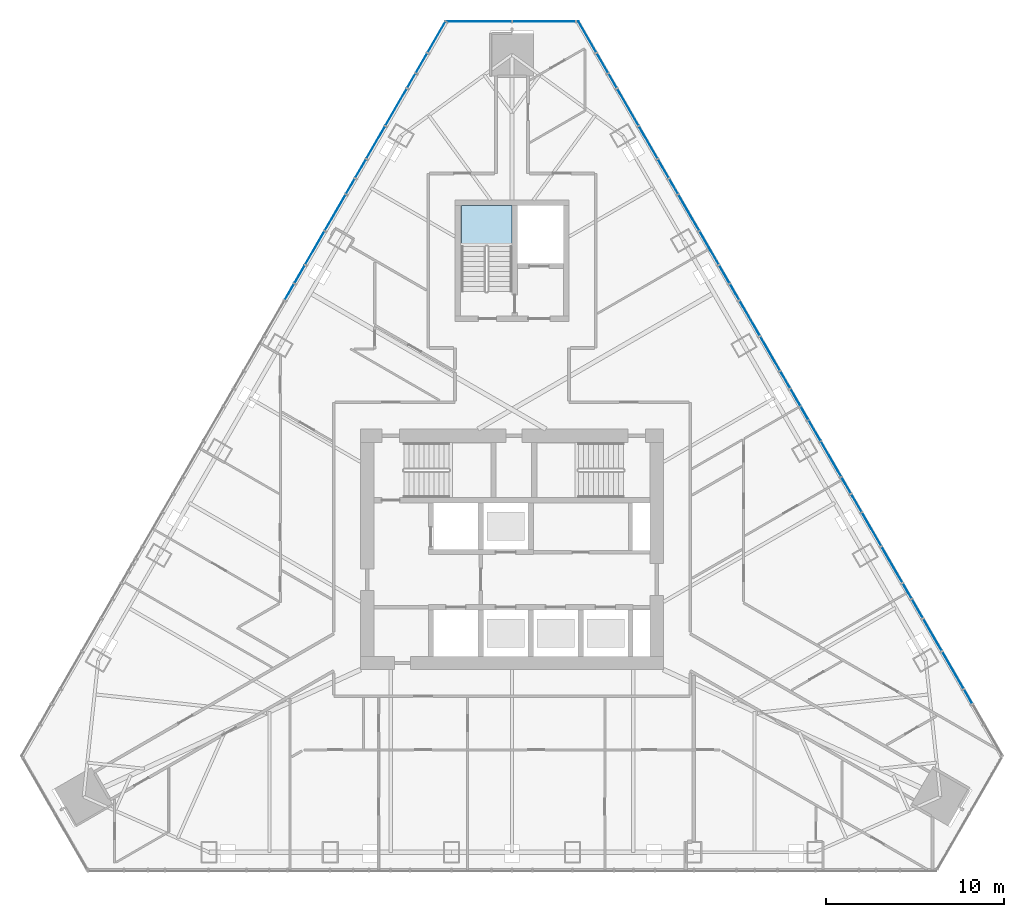
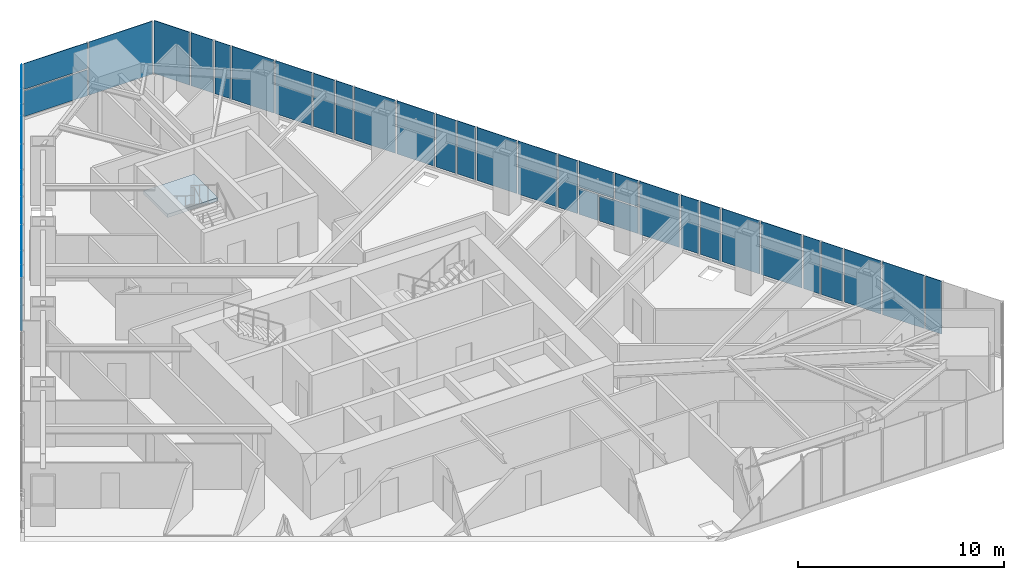
# One storey, part 12 of 19: 42 plates, 1 slab, 4 elements without a shape of their own.
"""IFC4 building model written with IfcOpenShell, lengths in metres."""

from ifc_helpers import new_model, si_unit, direction, frame, origin, place, context, subcontext, project, spatial, polyline, outline, extrude, material, layer, layer_set, type_object, element, aggregate, save


model = new_model("IFC4")

# Units and contexts
model_context = context("Model", 3, precision=1e-05, world=origin(), true_north=direction((0.0, 1.0)))
body_context = subcontext(model_context, "Body", "Model", "MODEL_VIEW")
ifc_project = project(units=[si_unit("LENGTHUNIT", "METRE"), si_unit("AREAUNIT", "SQUARE_METRE"), si_unit("VOLUMEUNIT", "CUBIC_METRE"), si_unit("PLANEANGLEUNIT", "RADIAN"), si_unit("MASSUNIT", "GRAM", prefix="KILO")], contexts=[model_context])

# Site, building, storey
site_placement = place(None, origin())
site = spatial("IfcSite", under=ifc_project, at=site_placement, CompositionType="ELEMENT")
building_placement = place(site_placement, origin())
building = spatial("IfcBuilding", under=site, at=building_placement, Name="Firuza Gate Tower and Library", CompositionType="ELEMENT")
storey_placement = place(building_placement, frame((0.0, 0.0, 256.60009765625)))
storey = spatial("IfcBuildingStorey", under=building, at=storey_placement, Name="L60", CompositionType="ELEMENT", Elevation=256.60009765625)

# Curtain wall, plate
ifc_material_1 = material(Name="Aluminium 6063-T6", Category="aluminium")
ifc_layer_1 = layer(ifc_material_1, 0.14990234375)
ifc_layer_set_1 = layer_set([ifc_layer_1], Name="Corner curtain wall, chamfers")
curtain_wall_type_1 = type_object("IfcCurtainWallType", Name="Corner curtain wall, chamfers", PredefinedType="NOTDEFINED", material=ifc_layer_set_1)
placement = place(storey_placement, origin())
curtain_wall_1 = element("IfcCurtainWall", 1, at=placement, inside=storey, type_object=curtain_wall_type_1, Name="CW4 L60 N corner", PredefinedType="NOTDEFINED")
ifc_material_2 = material(Name="Fritted glass", Category="glass")
ifc_layer_2 = layer(ifc_material_2, 0.030029296875)
ifc_layer_set_2 = layer_set([ifc_layer_2], Name="Fritted glass unit, corners")
plate_type_1 = type_object("IfcPlateType", Name="Fritted glass unit, corners", PredefinedType="CURTAIN_PANEL", material=ifc_layer_set_2)
plate_1_placement = place(storey_placement, frame((74.9599609375, 104.650390625, 0.14990234375), z_axis=(0.0, 1.0, 0.0), x_axis=(-1.0, 0.0, 0.0)))
plate_1 = element("IfcPlate", 2, at=plate_1_placement, type_object=plate_type_1, Name="Glass unit", PredefinedType="CURTAIN_PANEL", context=body_context, shape_type="SweptSolid", body=[
    extrude(outline(polyline([(0.0, 0.0), (3.563232421875, 0.0), (3.563232421875, 1.534912109375), (0.0, 1.534912109375), (0.0, 0.0)])), origin(), (0.0, 0.0, -1.0), 0.030029296875),
])

# Curtain wall, plates
ifc_material_3 = material(Name="Aluminium 6063-T6", Category="aluminium")
ifc_layer_3 = layer(ifc_material_3, 0.14990234375)
ifc_layer_set_3 = layer_set([ifc_layer_3], Name="Unitised curtain wall, residences")
curtain_wall_type_2 = type_object("IfcCurtainWallType", Name="Unitised curtain wall, residences", PredefinedType="NOTDEFINED", material=ifc_layer_set_3)
curtain_wall_2 = element("IfcCurtainWall", 3, at=placement, inside=storey, type_object=curtain_wall_type_2, Name="CW3 L60 E face", PredefinedType="NOTDEFINED")
ifc_material_4 = material(Name="Fritted glass", Category="glass")
ifc_layer_4 = layer(ifc_material_4, 0.030029296875)
ifc_layer_set_4 = layer_set([ifc_layer_4], Name="Fritted glass unit, residences")
plate_type_2 = type_object("IfcPlateType", Name="Fritted glass unit, residences", PredefinedType="CURTAIN_PANEL", material=ifc_layer_set_4)
plate_2_placement = place(storey_placement, frame((100.837158203125, 66.364501953125, 0.14990234375), z_axis=(0.86601248742, 0.500022371132, 0.0), x_axis=(-0.500022371132, 0.86601248742, 0.0)))
plate_2 = element("IfcPlate", 4, at=plate_2_placement, type_object=plate_type_2, Name="Glass unit", PredefinedType="CURTAIN_PANEL", context=body_context, shape_type="SweptSolid", body=[
    extrude(outline(polyline([(0.0, 0.0), (0.8925381908206307, 0.0), (0.8925381908206307, 3.14990234375), (0.0, 3.14990234375), (0.0, 0.0)])), origin(), (0.0, 0.0, -1.0), 0.030029296875),
])
plate_3_placement = place(storey_placement, frame((98.06494140625, 71.166259765625, 0.14990234375), z_axis=(0.865969920531, 0.500096087503, 0.0), x_axis=(-0.500096087503, 0.865969920531, 0.0)))
plate_3 = element("IfcPlate", 5, at=plate_3_placement, type_object=plate_type_2, Name="Glass unit", PredefinedType="CURTAIN_PANEL", context=body_context, shape_type="SweptSolid", body=[
    extrude(outline(polyline([(0.0, 0.0), (1.187760023459774, 0.0), (1.187760023459774, 3.14990234375), (0.0, 3.14990234375), (0.0, 0.0)])), origin(), (0.0, 0.0, -1.0), 0.030029296875),
])
plate_4_placement = place(storey_placement, frame((97.430908203125, 72.26416015625, 0.14990234375), z_axis=(0.866040344649, 0.49997412077, 0.0), x_axis=(-0.49997412077, 0.866040344649, 0.0)))
plate_4 = element("IfcPlate", 6, at=plate_4_placement, type_object=plate_type_2, Name="Glass unit", PredefinedType="CURTAIN_PANEL", context=body_context, shape_type="SweptSolid", body=[
    extrude(outline(polyline([(0.0, 0.0), (0.9517094152628764, 0.0), (0.9517094152628764, 3.14990234375), (0.0, 3.14990234375), (0.0, 0.0)])), origin(), (0.0, 0.0, -1.0), 0.030029296875),
])
plate_5_placement = place(storey_placement, frame((94.629150390625, 77.116943359375, 0.14990234375), z_axis=(0.865998287773, 0.500046963369, 0.0), x_axis=(-0.500046963369, 0.865998287773, 0.0)))
plate_5 = element("IfcPlate", 7, at=plate_5_placement, type_object=plate_type_2, Name="Glass unit", PredefinedType="CURTAIN_PANEL", context=body_context, shape_type="SweptSolid", body=[
    extrude(outline(polyline([(0.0, 0.0), (1.1288002254764324, 0.0), (1.1288002254764324, 3.14990234375), (0.0, 3.14990234375), (0.0, 0.0)])), origin(), (0.0, 0.0, -1.0), 0.030029296875),
])
plate_6_placement = place(storey_placement, frame((94.024658203125, 78.163818359375, 0.14990234375), z_axis=(0.866064938435, 0.499931517724, 0.0), x_axis=(-0.499931517724, 0.866064938435, 0.0)))
plate_6 = element("IfcPlate", 8, at=plate_6_placement, type_object=plate_type_2, Name="Glass unit", PredefinedType="CURTAIN_PANEL", context=body_context, shape_type="SweptSolid", body=[
    extrude(outline(polyline([(0.0, 0.0), (1.0108806423134982, 0.0), (1.0108806423134982, 3.14990234375), (0.0, 3.14990234375), (0.0, 0.0)])), origin(), (0.0, 0.0, -1.0), 0.030029296875),
])
plate_7_placement = place(storey_placement, frame((91.193359375, 83.06787109375, 0.14990234375), z_axis=(0.866029778435, 0.499992422807, 0.0), x_axis=(-0.499992422807, 0.866029778435, 0.0)))
plate_7 = element("IfcPlate", 9, at=plate_7_placement, type_object=plate_type_2, Name="Glass unit", PredefinedType="CURTAIN_PANEL", context=body_context, shape_type="SweptSolid", body=[
    extrude(outline(polyline([(0.0, 0.0), (1.0698404315257988, 0.0), (1.0698404315257988, 1.534912109375), (0.0, 1.534912109375), (0.0, 0.0)])), origin(), (0.0, 0.0, -1.0), 0.030029296875),
])
plate_8_placement = place(storey_placement, frame((91.637451171875, 82.299072265625, 1.764892578125), z_axis=(0.865977893981, 0.500082280366, 0.0), x_axis=(-0.500082280366, 0.865977893981, 0.0)))
plate_8 = element("IfcPlate", 10, at=plate_8_placement, type_object=plate_type_2, Name="Glass unit", PredefinedType="CURTAIN_PANEL", context=body_context, shape_type="SweptSolid", body=[
    extrude(outline(polyline([(0.0, 0.0), (1.9576856543145555, 0.0), (1.9576856543145555, 1.5349121093750004), (0.0, 1.5349121093750004), (0.0, 0.0)])), origin(), (0.0, 0.0, -1.0), 0.030029296875),
])
plate_9_placement = place(storey_placement, frame((90.61865234375, 84.0634765625, 0.14990234375), z_axis=(0.866029778435, 0.499992422807, 0.0), x_axis=(-0.499992422807, 0.866029778435, 0.0)))
plate_9 = element("IfcPlate", 11, at=plate_9_placement, type_object=plate_type_2, Name="Glass unit", PredefinedType="CURTAIN_PANEL", context=body_context, shape_type="SweptSolid", body=[
    extrude(outline(polyline([(0.0, 0.0), (1.0698404315257988, 0.0), (1.0698404315257988, 3.1499023437499996), (0.0, 3.1499023437499996), (0.0, 0.0)])), origin(), (0.0, 0.0, -1.0), 0.030029296875),
])
plate_10_placement = place(storey_placement, frame((87.7578125, 89.0185546875, 0.14990234375), z_axis=(0.866064938435, 0.499931517724, 0.0), x_axis=(-0.499931517724, 0.866064938435, 0.0)))
plate_10 = element("IfcPlate", 12, at=plate_10_placement, type_object=plate_type_2, Name="Glass unit", PredefinedType="CURTAIN_PANEL", context=body_context, shape_type="SweptSolid", body=[
    extrude(outline(polyline([(0.0, 0.0), (1.0108806423134982, 0.0), (1.0108806423134982, 3.14990234375), (0.0, 3.14990234375), (0.0, 0.0)])), origin(), (0.0, 0.0, -1.0), 0.030029296875),
])
plate_11_placement = place(storey_placement, frame((87.21240234375, 89.96337890625, 0.14990234375), z_axis=(0.865998287773, 0.500046963369, 0.0), x_axis=(-0.500046963369, 0.865998287773, 0.0)))
plate_11 = element("IfcPlate", 13, at=plate_11_placement, type_object=plate_type_2, Name="Glass unit", PredefinedType="CURTAIN_PANEL", context=body_context, shape_type="SweptSolid", body=[
    extrude(outline(polyline([(0.0, 0.0), (1.1288002254764324, 0.0), (1.1288002254764324, 3.14990234375), (0.0, 3.14990234375), (0.0, 0.0)])), origin(), (0.0, 0.0, -1.0), 0.030029296875),
])
plate_12_placement = place(storey_placement, frame((84.322021484375, 94.969482421875, 0.14990234375), z_axis=(0.866040344649, 0.49997412077, 0.0), x_axis=(-0.49997412077, 0.866040344649, 0.0)))
plate_12 = element("IfcPlate", 14, at=plate_12_placement, type_object=plate_type_2, Name="Glass unit", PredefinedType="CURTAIN_PANEL", context=body_context, shape_type="SweptSolid", body=[
    extrude(outline(polyline([(0.0, 0.0), (0.9517094152628764, 0.0), (0.9517094152628764, 3.14990234375), (0.0, 3.14990234375), (0.0, 0.0)])), origin(), (0.0, 0.0, -1.0), 0.030029296875),
])
plate_13_placement = place(storey_placement, frame((83.80615234375, 95.863037109375, 0.14990234375), z_axis=(0.865969920531, 0.500096087503, 0.0), x_axis=(-0.500096087503, 0.865969920531, 0.0)))
plate_13 = element("IfcPlate", 15, at=plate_13_placement, type_object=plate_type_2, Name="Glass unit", PredefinedType="CURTAIN_PANEL", context=body_context, shape_type="SweptSolid", body=[
    extrude(outline(polyline([(0.0, 0.0), (1.187760023459774, 0.0), (1.187760023459774, 3.14990234375), (0.0, 3.14990234375), (0.0, 0.0)])), origin(), (0.0, 0.0, -1.0), 0.030029296875),
])
plate_14_placement = place(storey_placement, frame((80.88623046875, 100.92041015625, 0.14990234375), z_axis=(0.86601248742, 0.500022371132, 0.0), x_axis=(-0.500022371132, 0.86601248742, 0.0)))
plate_14 = element("IfcPlate", 16, at=plate_14_placement, type_object=plate_type_2, Name="Glass unit", PredefinedType="CURTAIN_PANEL", context=body_context, shape_type="SweptSolid", body=[
    extrude(outline(polyline([(0.0, 0.0), (0.8925381908206307, 0.0), (0.8925381908206307, 3.14990234375), (0.0, 3.14990234375), (0.0, 0.0)])), origin(), (0.0, 0.0, -1.0), 0.030029296875),
])
plate_15_placement = place(storey_placement, frame((80.39990234375, 101.7626953125, 0.14990234375), z_axis=(0.86607798872, 0.499908909157, 0.0), x_axis=(-0.499908909157, 0.86607798872, 0.0)))
plate_15 = element("IfcPlate", 17, at=plate_15_placement, type_object=plate_type_2, Name="Glass unit", PredefinedType="CURTAIN_PANEL", context=body_context, shape_type="SweptSolid", body=[
    extrude(outline(polyline([(0.0, 0.0), (1.246809177047567, 0.0), (1.246809177047567, 3.14990234375), (0.0, 3.14990234375), (0.0, 0.0)])), origin(), (0.0, 0.0, -1.0), 0.030029296875),
])

curtain_wall_3 = element("IfcCurtainWall", 18, at=placement, inside=storey, type_object=curtain_wall_type_2, Name="CW3 L60 W face", PredefinedType="NOTDEFINED")
plate_16_placement = place(storey_placement, frame((70.223388671875, 102.842529296875, 0.14990234375), z_axis=(-0.86607798872, 0.499908909157, 0.0), x_axis=(-0.499908909157, -0.86607798872, 0.0)))
plate_16 = element("IfcPlate", 19, at=plate_16_placement, type_object=plate_type_2, Name="Glass unit", PredefinedType="CURTAIN_PANEL", context=body_context, shape_type="SweptSolid", body=[
    extrude(outline(polyline([(0.0, 0.0), (1.246809177047567, 0.0), (1.246809177047567, 3.14990234375), (0.0, 3.14990234375), (0.0, 0.0)])), origin(), (0.0, 0.0, -1.0), 0.030029296875),
])
plate_17_placement = place(storey_placement, frame((69.56005859375, 101.693359375, 0.14990234375), z_axis=(-0.86601248742, 0.500022371132, 0.0), x_axis=(-0.500022371132, -0.86601248742, 0.0)))
plate_17 = element("IfcPlate", 20, at=plate_17_placement, type_object=plate_type_2, Name="Glass unit", PredefinedType="CURTAIN_PANEL", context=body_context, shape_type="SweptSolid", body=[
    extrude(outline(polyline([(0.0, 0.0), (0.8925381908206307, 0.0), (0.8925381908206307, 3.14990234375), (0.0, 3.14990234375), (0.0, 0.0)])), origin(), (0.0, 0.0, -1.0), 0.030029296875),
])
plate_18_placement = place(storey_placement, frame((66.787841796875, 96.8916015625, 0.14990234375), z_axis=(-0.865969920531, 0.500096087503, 0.0), x_axis=(-0.500096087503, -0.865969920531, 0.0)))
plate_18 = element("IfcPlate", 21, at=plate_18_placement, type_object=plate_type_2, Name="Glass unit", PredefinedType="CURTAIN_PANEL", context=body_context, shape_type="SweptSolid", body=[
    extrude(outline(polyline([(0.0, 0.0), (1.187760023459774, 0.0), (1.187760023459774, 3.14990234375), (0.0, 3.14990234375), (0.0, 0.0)])), origin(), (0.0, 0.0, -1.0), 0.030029296875),
])
plate_19_placement = place(storey_placement, frame((66.15380859375, 95.793701171875, 0.14990234375), z_axis=(-0.866040344649, 0.49997412077, 0.0), x_axis=(-0.49997412077, -0.866040344649, 0.0)))
plate_19 = element("IfcPlate", 22, at=plate_19_placement, type_object=plate_type_2, Name="Glass unit", PredefinedType="CURTAIN_PANEL", context=body_context, shape_type="SweptSolid", body=[
    extrude(outline(polyline([(0.0, 0.0), (0.9517094152628764, 0.0), (0.9517094152628764, 3.14990234375), (0.0, 3.14990234375), (0.0, 0.0)])), origin(), (0.0, 0.0, -1.0), 0.030029296875),
])
plate_20_placement = place(storey_placement, frame((63.35205078125, 90.94091796875, 0.14990234375), z_axis=(-0.865998287773, 0.500046963369, 0.0), x_axis=(-0.500046963369, -0.865998287773, 0.0)))
plate_20 = element("IfcPlate", 23, at=plate_20_placement, type_object=plate_type_2, Name="Glass unit", PredefinedType="CURTAIN_PANEL", context=body_context, shape_type="SweptSolid", body=[
    extrude(outline(polyline([(0.0, 0.0), (1.1288002254764324, 0.0), (1.1288002254764324, 3.14990234375), (0.0, 3.14990234375), (0.0, 0.0)])), origin(), (0.0, 0.0, -1.0), 0.030029296875),
])
plate_21_placement = place(storey_placement, frame((62.74755859375, 89.89404296875, 0.14990234375), z_axis=(-0.866064938435, 0.499931517724, 0.0), x_axis=(-0.499931517724, -0.866064938435, 0.0)))
plate_21 = element("IfcPlate", 24, at=plate_21_placement, type_object=plate_type_2, Name="Glass unit", PredefinedType="CURTAIN_PANEL", context=body_context, shape_type="SweptSolid", body=[
    extrude(outline(polyline([(0.0, 0.0), (1.0108806423134982, 0.0), (1.0108806423134982, 3.14990234375), (0.0, 3.14990234375), (0.0, 0.0)])), origin(), (0.0, 0.0, -1.0), 0.030029296875),
])

# Plate
ifc_material_5 = material(Name="Glazed ceramic tile")
ifc_layer_5 = layer(ifc_material_5, 0.030029296875)
ifc_layer_set_5 = layer_set([ifc_layer_5], Name="Opaque ceramic panel, corners")
plate_type_3 = type_object("IfcPlateType", Name="Opaque ceramic panel, corners", PredefinedType="CURTAIN_PANEL", material=ifc_layer_set_5)
plate_22_placement = place(storey_placement, frame((78.603271484375, 104.650390625, 0.14990234375), z_axis=(0.0, 1.0, 0.0), x_axis=(-1.0, 0.0, 0.0)))
plate_22 = element("IfcPlate", 25, at=plate_22_placement, type_object=plate_type_3, Name="Opaque ceramic panel", PredefinedType="CURTAIN_PANEL", context=body_context, shape_type="SweptSolid", body=[
    extrude(outline(polyline([(0.0, 0.0), (3.563232421875, 0.0), (3.563232421875, 3.14990234375), (0.0, 3.14990234375), (0.0, 0.0)])), origin(), (0.0, 0.0, -1.0), 0.030029296875),
])

plate_23_placement = place(storey_placement, frame((74.9599609375, 104.650390625, 1.764892578125), z_axis=(0.0, 1.0, 0.0), x_axis=(-1.0, 0.0, 0.0)))
plate_23 = element("IfcPlate", 26, at=plate_23_placement, type_object=plate_type_3, Name="Opaque ceramic panel", PredefinedType="CURTAIN_PANEL", context=body_context, shape_type="SweptSolid", body=[
    extrude(outline(polyline([(0.0, 0.0), (3.563232421875, 0.0), (3.563232421875, 1.534912109375), (0.0, 1.534912109375), (0.0, 0.0)])), origin(), (0.0, 0.0, -1.0), 0.030029296875),
])

aggregate(curtain_wall_1, [plate_22, plate_1, plate_23])

ifc_material_6 = material(Name="Glazed ceramic tile")
ifc_layer_6 = layer(ifc_material_6, 0.030029296875)
ifc_layer_set_6 = layer_set([ifc_layer_6], Name="Opaque ceramic panel, residences")
plate_type_4 = type_object("IfcPlateType", Name="Opaque ceramic panel, residences", PredefinedType="CURTAIN_PANEL", material=ifc_layer_set_6)
plate_24_placement = place(storey_placement, frame((100.350830078125, 67.206787109375, 0.14990234375), z_axis=(0.866038761455, 0.499976863123, 0.0), x_axis=(-0.499976863123, 0.866038761455, 0.0)))
plate_24 = element("IfcPlate", 27, at=plate_24_placement, type_object=plate_type_4, Name="Opaque ceramic panel", PredefinedType="CURTAIN_PANEL", context=body_context, shape_type="SweptSolid", body=[
    extrude(outline(polyline([(0.0, 0.0), (2.3536245360441104, 0.0), (2.3536245360441104, 3.14990234375), (0.0, 3.14990234375), (0.0, 0.0)])), origin(), (0.0, 0.0, -1.0), 0.030029296875),
])

plate_25_placement = place(storey_placement, frame((99.134033203125, 69.314453125, 0.14990234375), z_axis=(0.8660374388, 0.499979154163, 0.0), x_axis=(-0.499979154163, 0.8660374388, 0.0)))
plate_25 = element("IfcPlate", 28, at=plate_25_placement, type_object=plate_type_4, Name="Opaque ceramic panel", PredefinedType="CURTAIN_PANEL", context=body_context, shape_type="SweptSolid", body=[
    extrude(outline(polyline([(0.0, 0.0), (2.058191278191509, 0.0), (2.058191278191509, 3.14990234375), (0.0, 3.14990234375), (0.0, 0.0)])), origin(), (0.0, 0.0, -1.0), 0.030029296875),
])

plate_26_placement = place(storey_placement, frame((96.9150390625, 73.15771484375, 0.14990234375), z_axis=(0.866027884473, 0.499995703297, 0.0), x_axis=(-0.499995703297, 0.866027884473, 0.0)))
plate_26 = element("IfcPlate", 29, at=plate_26_placement, type_object=plate_type_4, Name="Opaque ceramic panel", PredefinedType="CURTAIN_PANEL", context=body_context, shape_type="SweptSolid", body=[
    extrude(outline(polyline([(0.0, 0.0), (2.294453310917289, 0.0), (2.294453310917289, 3.14990234375), (0.0, 3.14990234375), (0.0, 0.0)])), origin(), (0.0, 0.0, -1.0), 0.030029296875),
])

plate_27_placement = place(storey_placement, frame((95.727783203125, 75.214111328125, 0.14990234375), z_axis=(0.866020436474, 0.500008603535, 0.0), x_axis=(-0.500008603535, 0.866020436474, 0.0)))
plate_27 = element("IfcPlate", 30, at=plate_27_placement, type_object=plate_type_4, Name="Opaque ceramic panel", PredefinedType="CURTAIN_PANEL", context=body_context, shape_type="SweptSolid", body=[
    extrude(outline(polyline([(0.0, 0.0), (2.117151070031511, 0.0), (2.117151070031511, 3.149902343750001), (0.0, 3.149902343750001), (0.0, 0.0)])), origin(), (0.0, 0.0, -1.0), 0.030029296875),
])

plate_28_placement = place(storey_placement, frame((93.4794921875, 79.1083984375, 0.14990234375), z_axis=(0.865996445293, 0.500050154224, 0.0), x_axis=(-0.500050154224, 0.865996445293, 0.0)))
plate_28 = element("IfcPlate", 31, at=plate_28_placement, type_object=plate_type_4, Name="Opaque ceramic panel", PredefinedType="CURTAIN_PANEL", context=body_context, shape_type="SweptSolid", body=[
    extrude(outline(polyline([(0.0, 0.0), (2.235615592618948, 0.0), (2.235615592618948, 3.14990234375), (0.0, 3.14990234375), (0.0, 0.0)])), origin(), (0.0, 0.0, -1.0), 0.030029296875),
])

plate_29_placement = place(storey_placement, frame((92.32177734375, 81.11376953125, 0.14990234375), z_axis=(0.865983826272, 0.500072007451, 0.0), x_axis=(-0.500072007451, 0.865983826272, 0.0)))
plate_29 = element("IfcPlate", 32, at=plate_29_placement, type_object=plate_type_4, Name="Opaque ceramic panel", PredefinedType="CURTAIN_PANEL", context=body_context, shape_type="SweptSolid", body=[
    extrude(outline(polyline([(0.0, 0.0), (2.1764443720783646, 0.0), (2.1764443720783646, 1.534912109375), (0.0, 1.534912109375), (0.0, 0.0)])), origin(), (0.0, 0.0, -1.0), 0.030029296875),
])

plate_30_placement = place(storey_placement, frame((92.32177734375, 81.11376953125, 1.764892578125), z_axis=(0.86594894672, 0.500132404144, 0.0), x_axis=(-0.500132404144, 0.86594894672, 0.0)))
plate_30 = element("IfcPlate", 33, at=plate_30_placement, type_object=plate_type_4, Name="Opaque ceramic panel", PredefinedType="CURTAIN_PANEL", context=body_context, shape_type="SweptSolid", body=[
    extrude(outline(polyline([(0.0, 0.0), (1.2887212359366202, 0.0), (1.2887212359366202, 1.534912109375), (0.0, 1.534912109375), (0.0, 0.0)])), origin(), (0.0, 0.0, -1.0), 0.030029296875),
])

plate_31_placement = place(storey_placement, frame((90.043701171875, 85.059326171875, 0.14990234375), z_axis=(0.866032402371, 0.499987877897, 0.0), x_axis=(-0.499987877897, 0.866032402371, 0.0)))
plate_31 = element("IfcPlate", 34, at=plate_31_placement, type_object=plate_type_4, Name="Opaque ceramic panel", PredefinedType="CURTAIN_PANEL", context=body_context, shape_type="SweptSolid", body=[
    extrude(outline(polyline([(0.0, 0.0), (2.1763222944553537, 0.0), (2.1763222944553537, 3.14990234375), (0.0, 3.14990234375), (0.0, 0.0)])), origin(), (0.0, 0.0, -1.0), 0.030029296875),
])

plate_32_placement = place(storey_placement, frame((88.91552734375, 87.013427734375, 0.14990234375), z_axis=(0.86604373436, 0.499968249168, 0.0), x_axis=(-0.499968249168, 0.86604373436, 0.0)))
plate_32 = element("IfcPlate", 35, at=plate_32_placement, type_object=plate_type_4, Name="Opaque ceramic panel", PredefinedType="CURTAIN_PANEL", context=body_context, shape_type="SweptSolid", body=[
    extrude(outline(polyline([(0.0, 0.0), (2.235493520059667, 0.0), (2.235493520059667, 3.14990234375), (0.0, 3.14990234375), (0.0, 0.0)])), origin(), (0.0, 0.0, -1.0), 0.030029296875),
])

plate_33_placement = place(storey_placement, frame((86.60791015625, 91.01025390625, 0.14990234375), z_axis=(0.866020436474, 0.500008603535, 0.0), x_axis=(-0.500008603535, 0.866020436474, 0.0)))
plate_33 = element("IfcPlate", 36, at=plate_33_placement, type_object=plate_type_4, Name="Opaque ceramic panel", PredefinedType="CURTAIN_PANEL", context=body_context, shape_type="SweptSolid", body=[
    extrude(outline(polyline([(0.0, 0.0), (2.117151070031511, 0.0), (2.117151070031511, 3.149902343750001), (0.0, 3.149902343750001), (0.0, 0.0)])), origin(), (0.0, 0.0, -1.0), 0.030029296875),
])

plate_34_placement = place(storey_placement, frame((85.50927734375, 92.9130859375, 0.14990234375), z_axis=(0.866027884473, 0.499995703297, 0.0), x_axis=(-0.499995703297, 0.866027884473, 0.0)))
plate_34 = element("IfcPlate", 37, at=plate_34_placement, type_object=plate_type_4, Name="Opaque ceramic panel", PredefinedType="CURTAIN_PANEL", context=body_context, shape_type="SweptSolid", body=[
    extrude(outline(polyline([(0.0, 0.0), (2.294453310917289, 0.0), (2.294453310917289, 3.14990234375), (0.0, 3.14990234375), (0.0, 0.0)])), origin(), (0.0, 0.0, -1.0), 0.030029296875),
])

plate_35_placement = place(storey_placement, frame((83.17236328125, 96.9609375, 0.14990234375), z_axis=(0.865986075164, 0.500068112983, 0.0), x_axis=(-0.500068112983, 0.865986075164, 0.0)))
plate_35 = element("IfcPlate", 38, at=plate_35_placement, type_object=plate_type_4, Name="Opaque ceramic panel", PredefinedType="CURTAIN_PANEL", context=body_context, shape_type="SweptSolid", body=[
    extrude(outline(polyline([(0.0, 0.0), (2.0583133542742464, 0.0), (2.0583133542742464, 3.14990234375), (0.0, 3.14990234375), (0.0, 0.0)])), origin(), (0.0, 0.0, -1.0), 0.030029296875),
])

plate_36_placement = place(storey_placement, frame((82.10302734375, 98.812744140625, 0.14990234375), z_axis=(0.866038761455, 0.499976863123, 0.0), x_axis=(-0.499976863123, 0.866038761455, 0.0)))
plate_36 = element("IfcPlate", 39, at=plate_36_placement, type_object=plate_type_4, Name="Opaque ceramic panel", PredefinedType="CURTAIN_PANEL", context=body_context, shape_type="SweptSolid", body=[
    extrude(outline(polyline([(0.0, 0.0), (2.3536245360441104, 0.0), (2.3536245360441104, 3.14990234375), (0.0, 3.14990234375), (0.0, 0.0)])), origin(), (0.0, 0.0, -1.0), 0.030029296875),
])

plate_37_placement = place(storey_placement, frame((79.736572265625, 102.911865234375, 0.14990234375), z_axis=(0.866002566612, 0.500039553057, 0.0), x_axis=(-0.500039553057, 0.866002566612, 0.0)))
plate_37 = element("IfcPlate", 40, at=plate_37_placement, type_object=plate_type_4, Name="Opaque ceramic panel", PredefinedType="CURTAIN_PANEL", context=body_context, shape_type="SweptSolid", body=[
    extrude(outline(polyline([(0.0, 0.0), (1.9993535576612924, 0.0), (1.9993535576612924, 3.14990234375), (0.0, 3.14990234375), (0.0, 0.0)])), origin(), (0.0, 0.0, -1.0), 0.030029296875),
])

aggregate(curtain_wall_2, [plate_2, plate_24, plate_25, plate_3, plate_4, plate_26, plate_27, plate_5, plate_6, plate_28, plate_29, plate_7, plate_30, plate_8, plate_9, plate_31, plate_32, plate_10, plate_11, plate_33, plate_34, plate_12, plate_13, plate_35, plate_36, plate_14, plate_15, plate_37])

plate_38_placement = place(storey_placement, frame((71.26318359375, 104.643310546875, 0.14990234375), z_axis=(-0.866002566612, 0.500039553057, 0.0), x_axis=(-0.500039553057, -0.866002566612, 0.0)))
plate_38 = element("IfcPlate", 41, at=plate_38_placement, type_object=plate_type_4, Name="Opaque ceramic panel", PredefinedType="CURTAIN_PANEL", context=body_context, shape_type="SweptSolid", body=[
    extrude(outline(polyline([(0.0, 0.0), (1.9993535576612924, 0.0), (1.9993535576612924, 3.14990234375), (0.0, 3.14990234375), (0.0, 0.0)])), origin(), (0.0, 0.0, -1.0), 0.030029296875),
])

plate_39_placement = place(storey_placement, frame((69.07373046875, 100.85107421875, 0.14990234375), z_axis=(-0.866038761455, 0.499976863123, 0.0), x_axis=(-0.499976863123, -0.866038761455, 0.0)))
plate_39 = element("IfcPlate", 42, at=plate_39_placement, type_object=plate_type_4, Name="Opaque ceramic panel", PredefinedType="CURTAIN_PANEL", context=body_context, shape_type="SweptSolid", body=[
    extrude(outline(polyline([(0.0, 0.0), (2.3536245360441104, 0.0), (2.3536245360441104, 3.14990234375), (0.0, 3.14990234375), (0.0, 0.0)])), origin(), (0.0, 0.0, -1.0), 0.030029296875),
])

plate_40_placement = place(storey_placement, frame((67.85693359375, 98.743408203125, 0.14990234375), z_axis=(-0.865986075164, 0.500068112983, 0.0), x_axis=(-0.500068112983, -0.865986075164, 0.0)))
plate_40 = element("IfcPlate", 43, at=plate_40_placement, type_object=plate_type_4, Name="Opaque ceramic panel", PredefinedType="CURTAIN_PANEL", context=body_context, shape_type="SweptSolid", body=[
    extrude(outline(polyline([(0.0, 0.0), (2.0583133542742464, 0.0), (2.0583133542742464, 3.14990234375), (0.0, 3.14990234375), (0.0, 0.0)])), origin(), (0.0, 0.0, -1.0), 0.030029296875),
])

plate_41_placement = place(storey_placement, frame((65.637939453125, 94.900146484375, 0.14990234375), z_axis=(-0.866027884473, 0.499995703297, 0.0), x_axis=(-0.499995703297, -0.866027884473, 0.0)))
plate_41 = element("IfcPlate", 44, at=plate_41_placement, type_object=plate_type_4, Name="Opaque ceramic panel", PredefinedType="CURTAIN_PANEL", context=body_context, shape_type="SweptSolid", body=[
    extrude(outline(polyline([(0.0, 0.0), (2.294453310917289, 0.0), (2.294453310917289, 3.14990234375), (0.0, 3.14990234375), (0.0, 0.0)])), origin(), (0.0, 0.0, -1.0), 0.030029296875),
])

plate_42_placement = place(storey_placement, frame((64.45068359375, 92.84375, 0.14990234375), z_axis=(-0.866020436474, 0.500008603535, 0.0), x_axis=(-0.500008603535, -0.866020436474, 0.0)))
plate_42 = element("IfcPlate", 45, at=plate_42_placement, type_object=plate_type_4, Name="Opaque ceramic panel", PredefinedType="CURTAIN_PANEL", context=body_context, shape_type="SweptSolid", body=[
    extrude(outline(polyline([(0.0, 0.0), (2.117151070031511, 0.0), (2.117151070031511, 3.149902343750001), (0.0, 3.149902343750001), (0.0, 0.0)])), origin(), (0.0, 0.0, -1.0), 0.030029296875),
])

aggregate(curtain_wall_3, [plate_38, plate_16, plate_17, plate_39, plate_40, plate_18, plate_19, plate_41, plate_42, plate_20, plate_21])

# Stair, slab
ifc_material_7 = material(Name="Concrete C35/45", Category="concrete")
stair_type = type_object("IfcStairType", Name="Exit stair ST17", PredefinedType="HALF_TURN_STAIR", material=ifc_material_7)
stair = element("IfcStair", 46, at=placement, inside=storey, type_object=stair_type, Name="L60 Stair ST3", PredefinedType="HALF_TURN_STAIR")
ifc_material_8 = material(Name="Concrete C35/45", Category="concrete")
ifc_layer_7 = layer(ifc_material_8, 0.199951171875)
ifc_layer_set_7 = layer_set([ifc_layer_7], Name="Stair landing 200")
slab_type = type_object("IfcSlabType", Name="Stair landing 200", PredefinedType="LANDING", material=ifc_layer_set_7)
slab_placement = place(storey_placement, frame((0.0, 0.0, 1.5498046875)))
slab = element("IfcSlab", 47, at=slab_placement, type_object=slab_type, Name="ST3 landing 1", PredefinedType="LANDING", context=body_context, shape_type="SweptSolid", body=[
    extrude(outline(polyline([(75.0, 91.989990234375), (75.0, 94.300048828125), (72.159912109375, 94.300048828125), (72.159912109375, 91.989990234375), (75.0, 91.989990234375)])), origin(), (0.0, 0.0, 1.0), 0.2001953125),
])
aggregate(stair, [slab])

save(model, "model.ifc")
